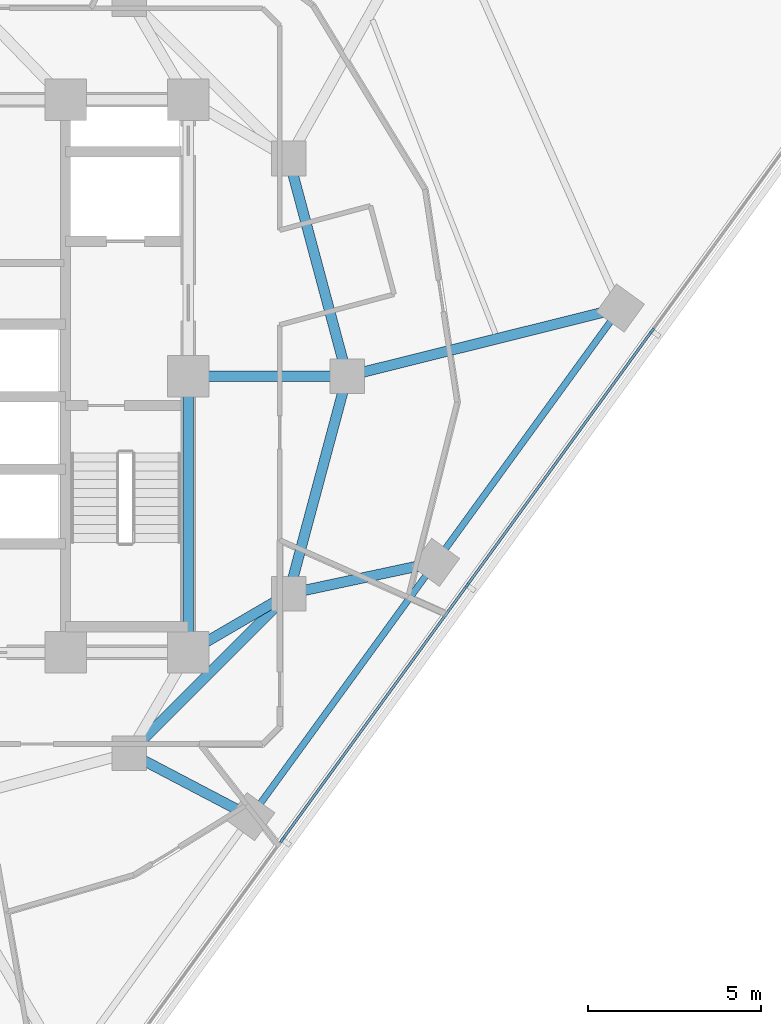
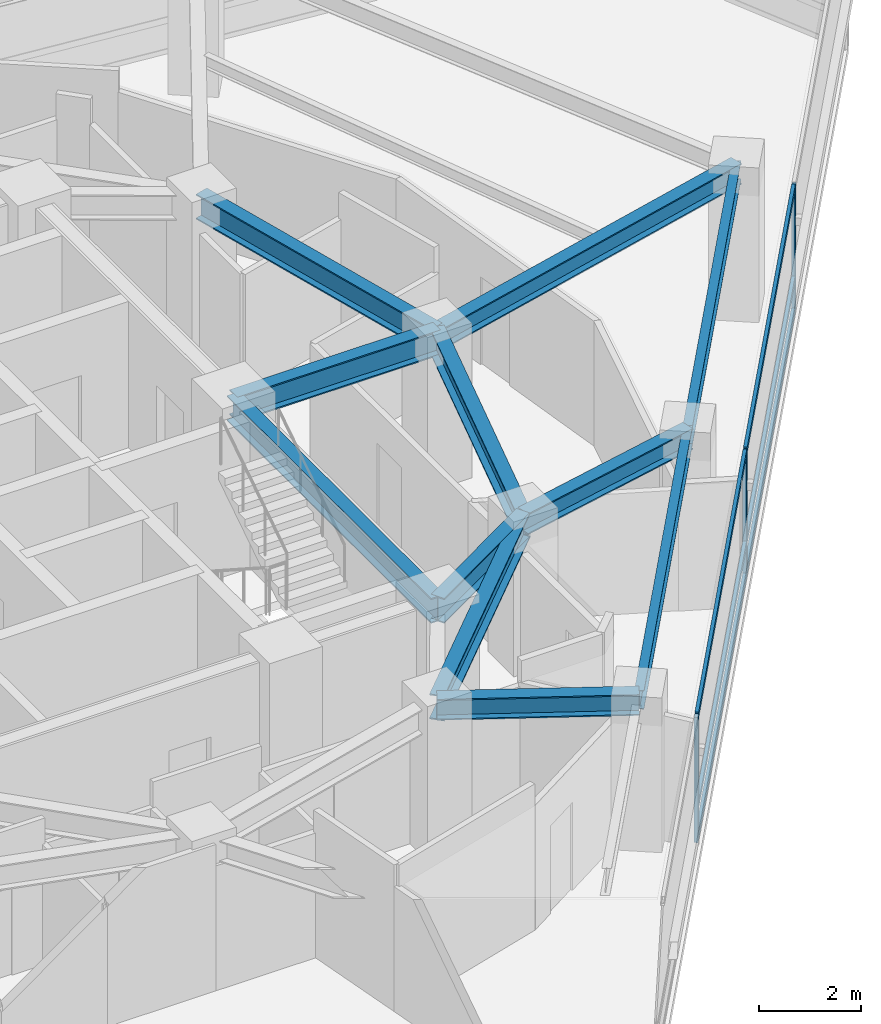
# One storey, part 4 of 15: 11 beams, 9 members, 1 element without a shape of its own.
"""IFC4 building model written with IfcOpenShell, lengths in metres."""

from ifc_helpers import new_model, si_unit, direction, frame, origin, origin_2d, place, context, subcontext, project, spatial, rectangle, i_section, extrude, material, layer, layer_set, material_profile, profile_set, type_object, element, aggregate, save


model = new_model("IFC4")

# Units and contexts
model_context = context("Model", 3, precision=1e-05, world=origin(), true_north=direction((0.0, 1.0)))
body_context = subcontext(model_context, "Body", "Model", "MODEL_VIEW")
ifc_project = project(units=[si_unit("LENGTHUNIT", "METRE"), si_unit("AREAUNIT", "SQUARE_METRE"), si_unit("VOLUMEUNIT", "CUBIC_METRE"), si_unit("PLANEANGLEUNIT", "RADIAN"), si_unit("MASSUNIT", "GRAM", prefix="KILO")], contexts=[model_context])

# Site, building, storey
site_placement = place(None, origin())
site = spatial("IfcSite", under=ifc_project, at=site_placement, CompositionType="ELEMENT")
building_placement = place(site_placement, origin())
building = spatial("IfcBuilding", under=site, at=building_placement, Name="Terralouvre Media Tower", CompositionType="ELEMENT")
storey_placement = place(building_placement, frame((0.0, 0.0, 230.0)))
storey = spatial("IfcBuildingStorey", under=building, at=storey_placement, Name="L59", CompositionType="ELEMENT", Elevation=230.0)

# Curtain wall, members
ifc_material_1 = material(Name="Low-iron laminated double glazing with solar-control coating", Category="glass")
ifc_layer = layer(ifc_material_1, 0.1650390625, Name="Upper Executive Tower Curtain Wall CW-05")
ifc_layer_set = layer_set([ifc_layer], Name="Low-iron laminated double glazing with solar-control coating")
curtain_wall_type = type_object("IfcCurtainWallType", Name="Upper Executive Tower Curtain Wall CW-05", PredefinedType="NOTDEFINED", material=ifc_layer_set)
curtain_wall_placement = place(storey_placement, origin())
curtain_wall = element("IfcCurtainWall", 1, at=curtain_wall_placement, inside=storey, type_object=curtain_wall_type, Name="L59 Facade Curtain Wall F0", PredefinedType="NOTDEFINED")
ifc_material_2 = material(Name="Anodised extruded aluminium 6063-T6", Category="aluminium")
ifc_material_profile_1 = material_profile(ifc_material_2, rectangle(XDim=0.074951171875, YDim=0.14990234375, at=origin_2d()), Name="ALU 75x150")
ifc_profile_set_1 = profile_set([ifc_material_profile_1], Name="Anodised extruded aluminium 6063-T6")
member_type_1 = type_object("IfcMemberType", Name="Curtain-Wall Horizontal Transom TR-150", PredefinedType="USERDEFINED", material=ifc_profile_set_1)
member_1_placement = place(storey_placement, frame((10.748779296875, -13.38720703125, 0.03759765625), z_axis=(0.587772727709, 0.809026093869, 0.0), x_axis=(-0.809026093869, 0.587772727709, 0.0)))
member_1 = element("IfcMember", 2, at=member_1_placement, type_object=member_type_1, Name="CW-05 transom 3.1", ObjectType="TRANSOM", PredefinedType="USERDEFINED", context=body_context, shape_type="SweptSolid", body=[
    extrude(rectangle(XDim=0.074951171875, YDim=0.14990234375, at=origin_2d()), origin(), (0.0, 0.0, 1.0), 9.025146484375),
])
member_2_placement = place(storey_placement, frame((10.748779296875, -13.38720703125, 0.800048828125), z_axis=(0.587772727709, 0.809026093869, 0.0), x_axis=(-0.809026093869, 0.587772727709, 0.0)))
member_2 = element("IfcMember", 3, at=member_2_placement, type_object=member_type_1, Name="CW-05 transom 3.2", ObjectType="TRANSOM", PredefinedType="USERDEFINED", context=body_context, shape_type="SweptSolid", body=[
    extrude(rectangle(XDim=0.074951171875, YDim=0.14990234375, at=origin_2d()), origin(), (0.0, 0.0, 1.0), 9.025146484375),
])
member_3_placement = place(storey_placement, frame((10.748779296875, -13.38720703125, 2.96240234375), z_axis=(0.587772727709, 0.809026093869, 0.0), x_axis=(-0.809026093869, 0.587772727709, 0.0)))
member_3 = element("IfcMember", 4, at=member_3_placement, type_object=member_type_1, Name="CW-05 transom 3.3", ObjectType="TRANSOM", PredefinedType="USERDEFINED", context=body_context, shape_type="SweptSolid", body=[
    extrude(rectangle(XDim=0.074951171875, YDim=0.14990234375, at=origin_2d()), origin(), (0.0, 0.0, 1.0), 9.025146484375),
])
member_4_placement = place(storey_placement, frame((16.09765625, -6.025146484375, 0.03759765625), z_axis=(0.587772727709, 0.809026093869, 0.0), x_axis=(-0.809026093869, 0.587772727709, 0.0)))
member_4 = element("IfcMember", 5, at=member_4_placement, type_object=member_type_1, Name="CW-05 transom 4.1", ObjectType="TRANSOM", PredefinedType="USERDEFINED", context=body_context, shape_type="SweptSolid", body=[
    extrude(rectangle(XDim=0.074951171875, YDim=0.14990234375, at=origin_2d()), origin(), (0.0, 0.0, 1.0), 9.025146484375),
])
member_5_placement = place(storey_placement, frame((16.09765625, -6.025146484375, 0.800048828125), z_axis=(0.587772727709, 0.809026093869, 0.0), x_axis=(-0.809026093869, 0.587772727709, 0.0)))
member_5 = element("IfcMember", 6, at=member_5_placement, type_object=member_type_1, Name="CW-05 transom 4.2", ObjectType="TRANSOM", PredefinedType="USERDEFINED", context=body_context, shape_type="SweptSolid", body=[
    extrude(rectangle(XDim=0.074951171875, YDim=0.14990234375, at=origin_2d()), origin(), (0.0, 0.0, 1.0), 9.025146484375),
])
member_6_placement = place(storey_placement, frame((16.09765625, -6.025146484375, 2.96240234375), z_axis=(0.587772727709, 0.809026093869, 0.0), x_axis=(-0.809026093869, 0.587772727709, 0.0)))
member_6 = element("IfcMember", 7, at=member_6_placement, type_object=member_type_1, Name="CW-05 transom 4.3", ObjectType="TRANSOM", PredefinedType="USERDEFINED", context=body_context, shape_type="SweptSolid", body=[
    extrude(rectangle(XDim=0.074951171875, YDim=0.14990234375, at=origin_2d()), origin(), (0.0, 0.0, 1.0), 9.025146484375),
])
ifc_material_3 = material(Name="Anodised extruded aluminium 6063-T6", Category="aluminium")
ifc_material_profile_2 = material_profile(ifc_material_3, rectangle(XDim=0.074951171875, YDim=0.179931640625, at=origin_2d()), Name="ALU 75x180")
ifc_profile_set_2 = profile_set([ifc_material_profile_2], Name="Anodised extruded aluminium 6063-T6")
member_type_2 = type_object("IfcMemberType", Name="Curtain-Wall Vertical Mullion ML-180", PredefinedType="MULLION", material=ifc_profile_set_2)
member_7_placement = place(storey_placement, frame((10.726806640625, -13.41748046875, 0.0), z_axis=(0.0, 0.0, 1.0), x_axis=(-0.809016959074, 0.587785300879, 0.0)))
member_7 = element("IfcMember", 8, at=member_7_placement, type_object=member_type_2, Name="CW-05 mullion 3", PredefinedType="MULLION", context=body_context, shape_type="SweptSolid", body=[
    extrude(rectangle(XDim=0.074951171875, YDim=0.179931640625, at=origin_2d()), origin(), (0.0, 0.0, 1.0), 3.0),
])
member_8_placement = place(storey_placement, frame((16.075439453125, -6.055419921875, 0.0), z_axis=(0.0, 0.0, 1.0), x_axis=(-0.809016959074, 0.587785300879, 0.0)))
member_8 = element("IfcMember", 9, at=member_8_placement, type_object=member_type_2, Name="CW-05 mullion 4", PredefinedType="MULLION", context=body_context, shape_type="SweptSolid", body=[
    extrude(rectangle(XDim=0.074951171875, YDim=0.179931640625, at=origin_2d()), origin(), (0.0, 0.0, 1.0), 3.0),
])
member_9_placement = place(storey_placement, frame((21.42431640625, 1.306640625, 0.0), z_axis=(0.0, 0.0, 1.0), x_axis=(-0.809016959074, 0.587785300879, 0.0)))
member_9 = element("IfcMember", 10, at=member_9_placement, type_object=member_type_2, Name="CW-05 mullion 5", PredefinedType="MULLION", context=body_context, shape_type="SweptSolid", body=[
    extrude(rectangle(XDim=0.074951171875, YDim=0.179931640625, at=origin_2d()), origin(), (0.0, 0.0, 1.0), 3.0),
])
aggregate(curtain_wall, [member_7, member_8, member_9, member_1, member_2, member_3, member_4, member_5, member_6])

# Beams
ifc_material_4 = material(Name="Structural steel S355J2", Category="steel")
ifc_material_profile_3 = material_profile(ifc_material_4, i_section(OverallWidth=0.18994140625, OverallDepth=0.449951171875, WebThickness=0.009521484375, FlangeThickness=0.0146484375, at=origin_2d()), Name="IPE 450")
ifc_profile_set_3 = profile_set([ifc_material_profile_3], Name="Structural steel S355J2")
beam_type_1 = type_object("IfcBeamType", Name="Perimeter Spandrel Beam SPB-450 (IPE 450)", PredefinedType="SPANDREL", material=ifc_profile_set_3)
for number, where, z_axis, x_axis, name in (
    (11, (9.8125, -12.75341796875, 3.27490234375), (0.587787185033, 0.809015590153, 0.0), (-0.809015590153, 0.587787185033, 0.0), "L59 Framing Beam BM-L59-PR05"),
    (12, (15.161376953125, -5.391357421875, 3.27490234375), (0.587787185033, 0.809015590153, 0.0), (-0.809015590153, 0.587787185033, 0.0), "L59 Framing Beam BM-L59-PR06"),
):
    element("IfcBeam", number, at=place(storey_placement, frame(where, z_axis=z_axis, x_axis=x_axis)), inside=storey, type_object=beam_type_1, Name=name, PredefinedType="SPANDREL", context=body_context, shape_type="SweptSolid", body=[
        extrude(i_section(OverallWidth=0.18994140625, OverallDepth=0.449951171875, WebThickness=0.009521484375, FlangeThickness=0.0146484375, at=origin_2d()), origin(), (0.0, 0.0, 1.0), 9.10009765625),
    ])
ifc_material_5 = material(Name="Structural steel S355J2", Category="steel")
ifc_material_profile_4 = material_profile(ifc_material_5, i_section(OverallWidth=0.300048828125, OverallDepth=0.5, WebThickness=0.014404296875, FlangeThickness=0.028076171875, at=origin_2d()), Name="HEB 500")
ifc_profile_set_4 = profile_set([ifc_material_profile_4], Name="Structural steel S355J2")
beam_type_2 = type_object("IfcBeamType", Name="Primary Floor Girder B-HEB500 (HEB 500)", PredefinedType="BEAM", material=ifc_profile_set_4)
beam_1_placement = place(storey_placement, frame((6.300048828125, -10.911865234375, 3.25), z_axis=(0.885655556229, -0.464342799794, 0.0), x_axis=(0.464342799794, 0.885655556229, 0.0)))
element("IfcBeam", 13, at=beam_1_placement, inside=storey, type_object=beam_type_2, Name="L59 Framing Beam BM-L59-RD05", PredefinedType="BEAM", context=body_context, shape_type="SweptSolid", body=[
    extrude(i_section(OverallWidth=0.300048828125, OverallDepth=0.5, WebThickness=0.014404296875, FlangeThickness=0.028076171875, at=origin_2d()), origin(), (0.0, 0.0, 1.0), 3.9658203125),
])
beam_2_placement = place(storey_placement, frame((10.911865234375, -6.300048828125, 3.25), z_axis=(0.977892761282, 0.209107023871, 0.0), x_axis=(-0.209107023871, 0.977892761282, 0.0)))
element("IfcBeam", 14, at=beam_2_placement, inside=storey, type_object=beam_type_2, Name="L59 Framing Beam BM-L59-RD06", PredefinedType="BEAM", context=body_context, shape_type="SweptSolid", body=[
    extrude(i_section(OverallWidth=0.300048828125, OverallDepth=0.5, WebThickness=0.014404296875, FlangeThickness=0.028076171875, at=origin_2d()), origin(), (0.0, 0.0, 1.0), 4.345458984375),
])
beam_3_placement = place(storey_placement, frame((12.60009765625, 0.0, 3.25), z_axis=(0.970339488521, 0.24174630714, 0.0), x_axis=(-0.24174630714, 0.970339488521, 0.0)))
element("IfcBeam", 15, at=beam_3_placement, inside=storey, type_object=beam_type_2, Name="L59 Framing Beam BM-L59-RD07", PredefinedType="BEAM", context=body_context, shape_type="SweptSolid", body=[
    extrude(i_section(OverallWidth=0.300048828125, OverallDepth=0.5, WebThickness=0.014404296875, FlangeThickness=0.028076171875, at=origin_2d()), origin(), (0.0, 0.0, 1.0), 8.15185546875),
])
ifc_material_6 = material(Name="Structural steel S460M", Category="steel")
ifc_material_profile_5 = material_profile(ifc_material_6, i_section(OverallWidth=0.300048828125, OverallDepth=0.60009765625, WebThickness=0.015380859375, FlangeThickness=0.030029296875, at=origin_2d()), Name="HEB 600")
ifc_profile_set_5 = profile_set([ifc_material_profile_5], Name="Structural steel S460M")
beam_type_3 = type_object("IfcBeamType", Name="Primary Floor Girder B-HEB600 (HEB 600)", PredefinedType="BEAM", material=ifc_profile_set_5)
beam_4_placement = place(storey_placement, frame((8.0, -8.0, 3.199951171875), z_axis=(0.0, 1.0, 0.0), x_axis=(-1.0, 0.0, 0.0)))
element("IfcBeam", 16, at=beam_4_placement, inside=storey, type_object=beam_type_3, Name="L59 Framing Beam BM-L59-CPR04", PredefinedType="BEAM", context=body_context, shape_type="SweptSolid", body=[
    extrude(i_section(OverallWidth=0.300048828125, OverallDepth=0.60009765625, WebThickness=0.015380859375, FlangeThickness=0.030029296875, at=origin_2d()), origin(), (0.0, 0.0, 1.0), 8.0),
])
beam_5_placement = place(storey_placement, frame((6.300048828125, -10.911865234375, 3.199951171875), z_axis=(0.707106781187, 0.707106781187, 0.0), x_axis=(-0.707106781187, 0.707106781187, 0.0)))
element("IfcBeam", 17, at=beam_5_placement, inside=storey, type_object=beam_type_3, Name="L59 Framing Beam BM-L59-MR04", PredefinedType="BEAM", context=body_context, shape_type="SweptSolid", body=[
    extrude(i_section(OverallWidth=0.300048828125, OverallDepth=0.60009765625, WebThickness=0.015380859375, FlangeThickness=0.030029296875, at=origin_2d()), origin(), (0.0, 0.0, 1.0), 6.52197265625),
])
for number, where, z_axis, x_axis, name in (
    (18, (10.911865234375, -6.300048828125, 3.199951171875), (0.258838989821, 0.965920481897, 0.0), (-0.965920481897, 0.258838989821, 0.0), "L59 Framing Beam BM-L59-MR05"),
    (19, (12.60009765625, 0.0, 3.199951171875), (-0.258838989821, 0.965920481897, 0.0), (-0.965920481897, -0.258838989821, 0.0), "L59 Framing Beam BM-L59-MR06"),
):
    element("IfcBeam", number, at=place(storey_placement, frame(where, z_axis=z_axis, x_axis=x_axis)), inside=storey, type_object=beam_type_3, Name=name, PredefinedType="BEAM", context=body_context, shape_type="SweptSolid", body=[
        extrude(i_section(OverallWidth=0.300048828125, OverallDepth=0.60009765625, WebThickness=0.015380859375, FlangeThickness=0.030029296875, at=origin_2d()), origin(), (0.0, 0.0, 1.0), 6.522216796875),
    ])
beam_6_placement = place(storey_placement, frame((8.0, -8.0, 3.199951171875), z_axis=(0.863602894532, 0.504172629717, 0.0), x_axis=(-0.504172629717, 0.863602894532, 0.0)))
element("IfcBeam", 20, at=beam_6_placement, inside=storey, type_object=beam_type_3, Name="L59 Framing Beam BM-L59-CM05", PredefinedType="BEAM", context=body_context, shape_type="SweptSolid", body=[
    extrude(i_section(OverallWidth=0.300048828125, OverallDepth=0.60009765625, WebThickness=0.015380859375, FlangeThickness=0.030029296875, at=origin_2d()), origin(), (0.0, 0.0, 1.0), 3.371826171875),
])
beam_7_placement = place(storey_placement, frame((8.0, 0.0, 3.199951171875), z_axis=(1.0, 0.0, 0.0), x_axis=(0.0, 1.0, 0.0)))
element("IfcBeam", 21, at=beam_7_placement, inside=storey, type_object=beam_type_3, Name="L59 Framing Beam BM-L59-CM06", PredefinedType="BEAM", context=body_context, shape_type="SweptSolid", body=[
    extrude(i_section(OverallWidth=0.300048828125, OverallDepth=0.60009765625, WebThickness=0.015380859375, FlangeThickness=0.030029296875, at=origin_2d()), origin(), (0.0, 0.0, 1.0), 4.60009765625),
])

save(model, "model.ifc")
